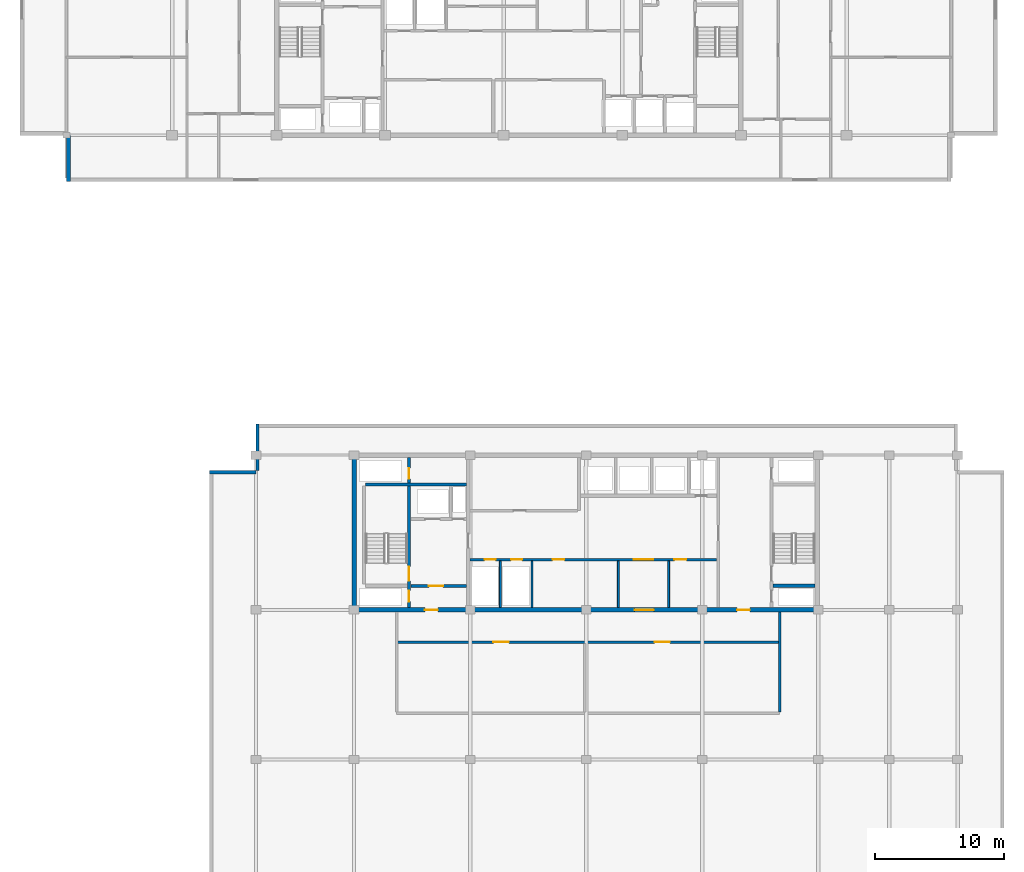
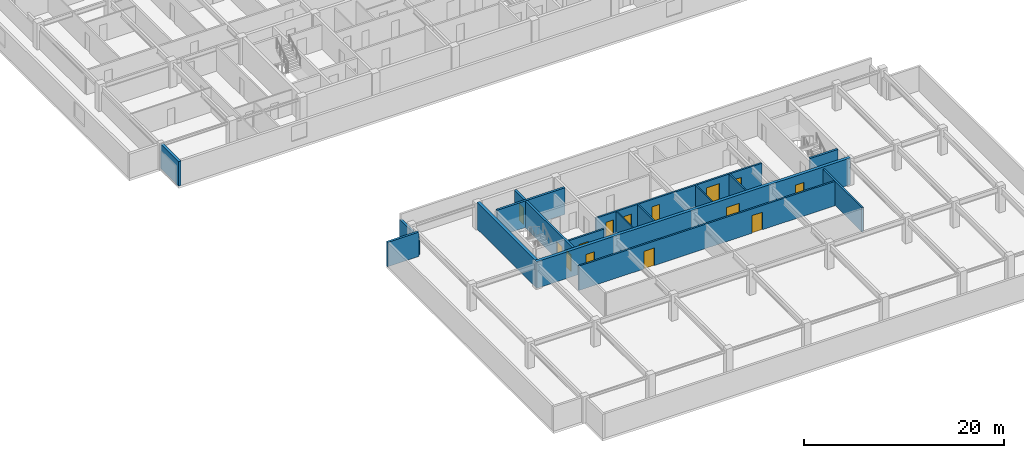
# One storey, part 4 of 17: 16 walls, 14 doors, 14 openings.
"""IFC4 building model written with IfcOpenShell, lengths in metres."""

from ifc_helpers import new_model, si_unit, direction, frame, frame_2d, origin, place, context, subcontext, project, spatial, rectangle, extrude, material, layer, layer_set, type_object, element, fill, save


model = new_model("IFC4")

# Units and contexts
model_context = context("Model", 3, precision=1e-05, world=origin(), true_north=direction((0.0, 1.0)))
body_context = subcontext(model_context, "Body", "Model", "MODEL_VIEW")
ifc_project = project(units=[si_unit("LENGTHUNIT", "METRE"), si_unit("AREAUNIT", "SQUARE_METRE"), si_unit("VOLUMEUNIT", "CUBIC_METRE"), si_unit("PLANEANGLEUNIT", "RADIAN"), si_unit("MASSUNIT", "GRAM", prefix="KILO")], contexts=[model_context])

# Site, building, storey
site_placement = place(None, origin())
site = spatial("IfcSite", under=ifc_project, at=site_placement, CompositionType="ELEMENT")
building_placement = place(site_placement, origin())
building = spatial("IfcBuilding", under=site, at=building_placement, Name="Korimba Cascade Residences", CompositionType="ELEMENT")
storey_placement = place(building_placement, frame((0.0, 0.0, 204.35009765625)))
storey = spatial("IfcBuildingStorey", under=building, at=storey_placement, Name="L59", CompositionType="ELEMENT", Elevation=204.35009765625)

# Walls
ifc_material_1 = material(Name="Precast concrete C40/50", Category="concrete")
ifc_layer_1 = layer(ifc_material_1, 0.25)
ifc_layer_set_1 = layer_set([ifc_layer_1], Name="Precast concrete C40/50")
wall_type_1 = type_object("IfcWallType", Name="EW-PLNT-250", PredefinedType="SHEAR", material=ifc_layer_set_1)
wall_1_placement = place(storey_placement, frame((74.625, 32.800048828125, 0.0), z_axis=(0.0, 0.0, 1.0), x_axis=(0.0, -1.0, 0.0)))
element("IfcWall", 1, at=wall_1_placement, inside=storey, type_object=wall_type_1, Name="L59 T2 Perimeter Stone Wall E07", PredefinedType="SHEAR", context=body_context, shape_type="SweptSolid", body=[
    extrude(rectangle(XDim=3.60009765625, YDim=0.25, at=frame_2d((1.800048828125, 0.0))), origin(), (0.0, 0.0, 1.0), 2.210205078125),
])
wall_2_placement = place(storey_placement, frame((74.5, 29.074951171875, 0.0), z_axis=(0.0, 0.0, 1.0), x_axis=(-1.0, 0.0, 0.0)))
element("IfcWall", 2, at=wall_2_placement, inside=storey, type_object=wall_type_1, Name="L59 T2 Perimeter Stone Wall E08", PredefinedType="SHEAR", context=body_context, shape_type="SweptSolid", body=[
    extrude(rectangle(XDim=3.60009765625, YDim=0.25, at=frame_2d((1.800048828125, 0.0))), origin(), (0.0, 0.0, 1.0), 2.97998046875),
])
ifc_layer_2 = layer(ifc_material_1, 0.300048828125)
ifc_layer_set_2 = layer_set([ifc_layer_2], Name="Precast concrete C40/50")
wall_type_2 = type_object("IfcWallType", Name="EW-STONE-300", PredefinedType="STANDARD", material=ifc_layer_set_2)
wall_3_placement = place(storey_placement, frame((59.949951171875, 55.199951171875, 0.0), z_axis=(0.0, 0.0, 1.0), x_axis=(0.0, -1.0, 0.0)))
element("IfcWall", 3, at=wall_3_placement, inside=storey, type_object=wall_type_2, Name="L59 T1 Perimeter Stone Wall E11", PredefinedType="STANDARD", context=body_context, shape_type="SweptSolid", body=[
    extrude(rectangle(XDim=3.599853515625, YDim=0.300048828125, at=frame_2d((1.7998046875, 0.0))), origin(), (0.0, 0.0, 1.0), 2.97998046875),
])
ifc_material_2 = material(Name="Concrete C65/80", Category="concrete")
ifc_layer_3 = layer(ifc_material_2, 0.35009765625)
ifc_layer_set_3 = layer_set([ifc_layer_3], Name="Concrete C65/80")
wall_type_3 = type_object("IfcWallType", Name="WAL-CORE-350", PredefinedType="SHEAR", material=ifc_layer_set_3)
wall_4_placement = place(storey_placement, frame((82.10009765625, 18.574951171875, 0.0), z_axis=(0.0, 0.0, 1.0), x_axis=(0.0, 1.0, 0.0)))
element("IfcWall", 4, at=wall_4_placement, inside=storey, type_object=wall_type_3, Name="L59 Core Shear Wall CW-L59-T2-W", PredefinedType="SHEAR", context=body_context, shape_type="SweptSolid", body=[
    extrude(rectangle(XDim=11.650146484375, YDim=0.35009765625, at=frame_2d((5.8251953125, 0.0))), origin(), (0.0, 0.0, 1.0), 3.25),
])

# Wall, openings, doors
wall_5_placement = place(storey_placement, frame((81.925048828125, 18.39990234375, 0.0), z_axis=(0.0, 0.0, 1.0), x_axis=(1.0, 0.0, 0.0)))
wall_5 = element("IfcWall", 5, at=wall_5_placement, inside=storey, type_object=wall_type_3, Name="L59 Core Shear Wall CW-L59-T2-S", PredefinedType="SHEAR", context=body_context, shape_type="SweptSolid", body=[
    extrude(rectangle(XDim=36.264892578125, YDim=0.35009765625, at=frame_2d((18.13232421875, 0.0))), origin(), (0.0, 0.0, 1.0), 3.25),
])
opening_1_placement = place(wall_5_placement, frame((5.675048828125, 0.0, 0.0)))
opening_1 = element("IfcOpeningElement", 6, at=opening_1_placement, cuts=wall_5, Name="Opening D-FD5", PredefinedType="OPENING", context=body_context, shape_type="SweptSolid", body=[
    extrude(rectangle(XDim=1.0, YDim=2.14990234375, at=frame_2d((0.5, 1.074951171875))), frame((0.0, 0.18505859375, 0.0), z_axis=(0.0, -1.0, 0.0), x_axis=(1.0, 0.0, 0.0)), (0.0, 0.0, 1.0), 0.3701171875),
])
opening_2_placement = place(wall_5_placement, frame((21.925048828125, 0.0, 0.0)))
opening_2 = element("IfcOpeningElement", 7, at=opening_2_placement, cuts=wall_5, Name="Opening D-FD8", PredefinedType="OPENING", context=body_context, shape_type="SweptSolid", body=[
    extrude(rectangle(XDim=1.5, YDim=2.199951171875, at=frame_2d((0.75, 1.10009765625))), frame((0.0, 0.18505859375, 0.0), z_axis=(0.0, -1.0, 0.0), x_axis=(1.0, 0.0, 0.0)), (0.0, 0.0, 1.0), 0.3701171875),
])
opening_3_placement = place(wall_5_placement, frame((29.875, 0.0, 0.0)))
opening_3 = element("IfcOpeningElement", 8, at=opening_3_placement, cuts=wall_5, Name="Opening D-FD5", PredefinedType="OPENING", context=body_context, shape_type="SweptSolid", body=[
    extrude(rectangle(XDim=1.0, YDim=2.14990234375, at=frame_2d((0.5, 1.074951171875))), frame((0.0, 0.18505859375, 0.0), z_axis=(0.0, -1.0, 0.0), x_axis=(1.0, 0.0, 0.0)), (0.0, 0.0, 1.0), 0.3701171875),
])
ifc_material_3 = material(Name="Fire-Rated Acoustic Timber Vestibule Door", Category="wood")
door_type_1 = type_object("IfcDoorType", Name="DR-FD90-1000", OperationType="NOTDEFINED", PredefinedType="DOOR", material=ifc_material_3)
door_1_placement = place(opening_1_placement, origin())
door_1 = element("IfcDoor", 9, at=door_1_placement, inside=storey, type_object=door_type_1, Name="L59 T2 West Core Vestibule Fire Door", OperationType="SINGLE_SWING_LEFT", OverallHeight=2.14990234375, OverallWidth=1.0, PredefinedType="DOOR", context=body_context, shape_type="SweptSolid", body=[
    extrude(rectangle(XDim=1.0, YDim=2.14990234375, at=frame_2d((0.5, 1.074951171875))), frame((0.0, 0.02490234375, 0.0), z_axis=(0.0, -1.0, 0.0), x_axis=(1.0, 0.0, 0.0)), (0.0, 0.0, 1.0), 0.050048828125),
])
fill(opening_1, door_1)
door_2_placement = place(opening_3_placement, origin())
door_2 = element("IfcDoor", 10, at=door_2_placement, inside=storey, type_object=door_type_1, Name="L59 T2 East Stair Vestibule Fire Door", OperationType="SINGLE_SWING_RIGHT", OverallHeight=2.14990234375, OverallWidth=1.0, PredefinedType="DOOR", context=body_context, shape_type="SweptSolid", body=[
    extrude(rectangle(XDim=1.0, YDim=2.14990234375, at=frame_2d((0.5, 1.074951171875))), frame((0.0, 0.02490234375, 0.0), z_axis=(0.0, -1.0, 0.0), x_axis=(1.0, 0.0, 0.0)), (0.0, 0.0, 1.0), 0.050048828125),
])
fill(opening_3, door_2)
ifc_material_4 = material(Name="Fire-Rated Glazed Lift Lobby Double Door", Category="glass")
door_type_2 = type_object("IfcDoorType", Name="DR-FD90-1500", OperationType="NOTDEFINED", PredefinedType="DOOR", material=ifc_material_4)
door_3_placement = place(opening_2_placement, origin())
door_3 = element("IfcDoor", 11, at=door_3_placement, inside=storey, type_object=door_type_2, Name="L59 T2 Lift Lobby Fire Door", OperationType="DOUBLE_DOOR_SINGLE_SWING", OverallHeight=2.199951171875, OverallWidth=1.5, PredefinedType="DOOR", context=body_context, shape_type="SweptSolid", body=[
    extrude(rectangle(XDim=1.5, YDim=2.199951171875, at=frame_2d((0.75, 1.10009765625))), frame((0.0, 0.02490234375, 0.0), z_axis=(0.0, -1.0, 0.0), x_axis=(1.0, 0.0, 0.0)), (0.0, 0.0, 1.0), 0.050048828125),
])
fill(opening_2, door_3)

# Walls
ifc_material_5 = material(Name="Insulated Acoustic Stud Partition", Category="gypsum")
ifc_layer_4 = layer(ifc_material_5, 0.14990234375)
ifc_layer_set_4 = layer_set([ifc_layer_4], Name="Insulated Acoustic Stud Partition")
wall_type_4 = type_object("IfcWallType", Name="WAL-PART-150", PredefinedType="PARTITIONING", material=ifc_layer_set_4)
for number, where, z_axis, x_axis, name in (
    (12, (93.449951171875, 18.60009765625, 0.0), (0.0, 0.0, 1.0), (0.0, 1.0, 0.0), "L59 Partition Wall CW-L59-T2-ERDIV"),
    (13, (95.89990234375, 18.60009765625, 0.0), (0.0, 0.0, 1.0), (0.0, 1.0, 0.0), "L59 Partition Wall CW-L59-T2-PRDIV"),
    (14, (102.60009765625, 18.60009765625, 0.0), (0.0, 0.0, 1.0), (0.0, 1.0, 0.0), "L59 Partition Wall CW-L59-T2-THW"),
    (15, (106.5, 18.60009765625, 0.0), (0.0, 0.0, 1.0), (0.0, 1.0, 0.0), "L59 Partition Wall CW-L59-T2-THE"),
):
    element("IfcWall", number, at=place(storey_placement, frame(where, z_axis=z_axis, x_axis=x_axis)), inside=storey, type_object=wall_type_4, Name=name, PredefinedType="PARTITIONING", context=body_context, shape_type="SweptSolid", body=[
        extrude(rectangle(XDim=3.599853515625, YDim=0.14990234375, at=frame_2d((1.7998046875, 0.0))), origin(), (0.0, 0.0, 1.0), 2.97998046875),
    ])

# Wall, opening, door
ifc_material_6 = material(Name="Concrete C40/50", Category="concrete")
ifc_layer_5 = layer(ifc_material_6, 0.199951171875)
ifc_layer_set_5 = layer_set([ifc_layer_5], Name="Concrete C40/50")
wall_type_5 = type_object("IfcWallType", Name="WAL-PART-200", PredefinedType="PARTITIONING", material=ifc_layer_set_5)
wall_6_placement = place(storey_placement, frame((86.5, 20.25, 0.0), z_axis=(0.0, 0.0, 1.0), x_axis=(1.0, 0.0, 0.0)))
wall_6 = element("IfcWall", 16, at=wall_6_placement, inside=storey, type_object=wall_type_5, Name="L59 Partition Wall CW-L59-T2-FFLS", PredefinedType="PARTITIONING", context=body_context, shape_type="SweptSolid", body=[
    extrude(rectangle(XDim=4.320068359375, YDim=0.199951171875, at=frame_2d((2.16015625, 0.0))), origin(), (0.0, 0.0, 1.0), 2.97998046875),
])
opening_4_placement = place(wall_6_placement, frame((1.39990234375, 0.0, 0.0)))
opening_4 = element("IfcOpeningElement", 17, at=opening_4_placement, cuts=wall_6, Name="Opening D-FD1", PredefinedType="OPENING", context=body_context, shape_type="SweptSolid", body=[
    extrude(rectangle(XDim=1.10009765625, YDim=2.10009765625, at=frame_2d((0.550048828125, 1.050048828125))), frame((0.0, 0.10986328125, 0.0), z_axis=(0.0, -1.0, 0.0), x_axis=(1.0, 0.0, 0.0)), (0.0, 0.0, 1.0), 0.219970703125),
])
ifc_material_7 = material(Name="Fire-Rated Steel Core Door", Category="steel")
door_type_3 = type_object("IfcDoorType", Name="DR-FD120-1100", OperationType="NOTDEFINED", PredefinedType="DOOR", material=ifc_material_7)
door_4_placement = place(opening_4_placement, origin())
door_4 = element("IfcDoor", 18, at=door_4_placement, inside=storey, type_object=door_type_3, Name="L59 T2 Firefighting Lobby Door", OperationType="SINGLE_SWING_LEFT", OverallHeight=2.10009765625, OverallWidth=1.10009765625, PredefinedType="DOOR", context=body_context, shape_type="SweptSolid", body=[
    extrude(rectangle(XDim=1.10009765625, YDim=2.10009765625, at=frame_2d((0.550048828125, 1.050048828125))), frame((0.0, 0.02490234375, 0.0), z_axis=(0.0, -1.0, 0.0), x_axis=(1.0, 0.0, 0.0)), (0.0, 0.0, 1.0), 0.050048828125),
])
fill(opening_4, door_4)

# Wall, openings, doors
wall_7_placement = place(storey_placement, frame((91.080078125, 22.300048828125, 0.0), z_axis=(0.0, 0.0, 1.0), x_axis=(1.0, 0.0, 0.0)))
wall_7 = element("IfcWall", 19, at=wall_7_placement, inside=storey, type_object=wall_type_5, Name="L59 Partition Wall CW-L59-T2-SRVROW", PredefinedType="PARTITIONING", context=body_context, shape_type="SweptSolid", body=[
    extrude(rectangle(XDim=19.139892578125, YDim=0.199951171875, at=frame_2d((9.56982421875, 0.0))), origin(), (0.0, 0.0, 1.0), 2.97998046875),
])
opening_5_placement = place(wall_7_placement, frame((1.14990234375, 0.0, 0.0)))
opening_5 = element("IfcOpeningElement", 20, at=opening_5_placement, cuts=wall_7, Name="Opening D-RS1", PredefinedType="OPENING", context=body_context, shape_type="SweptSolid", body=[
    extrude(rectangle(XDim=0.85009765625, YDim=2.050048828125, at=frame_2d((0.425048828125, 1.02490234375))), frame((0.0, 0.10986328125, 0.0), z_axis=(0.0, -1.0, 0.0), x_axis=(1.0, 0.0, 0.0)), (0.0, 0.0, 1.0), 0.219970703125),
])
opening_6_placement = place(wall_7_placement, frame((3.199951171875, 0.0, 0.0)))
opening_6 = element("IfcOpeningElement", 21, at=opening_6_placement, cuts=wall_7, Name="Opening D-RS1", PredefinedType="OPENING", context=body_context, shape_type="SweptSolid", body=[
    extrude(rectangle(XDim=0.85009765625, YDim=2.050048828125, at=frame_2d((0.425048828125, 1.02490234375))), frame((0.0, 0.10986328125, 0.0), z_axis=(0.0, -1.0, 0.0), x_axis=(1.0, 0.0, 0.0)), (0.0, 0.0, 1.0), 0.219970703125),
])
opening_7_placement = place(wall_7_placement, frame((12.719970703125, 0.0, 0.0)))
opening_7 = element("IfcOpeningElement", 22, at=opening_7_placement, cuts=wall_7, Name="Opening D-FD8", PredefinedType="OPENING", context=body_context, shape_type="SweptSolid", body=[
    extrude(rectangle(XDim=1.5, YDim=2.199951171875, at=frame_2d((0.75, 1.10009765625))), frame((0.0, 0.10986328125, 0.0), z_axis=(0.0, -1.0, 0.0), x_axis=(1.0, 0.0, 0.0)), (0.0, 0.0, 1.0), 0.219970703125),
])
opening_8_placement = place(wall_7_placement, frame((6.419921875, 0.0, 0.0)))
opening_8 = element("IfcOpeningElement", 23, at=opening_8_placement, cuts=wall_7, Name="Opening D-IN1", PredefinedType="OPENING", context=body_context, shape_type="SweptSolid", body=[
    extrude(rectangle(XDim=0.919921875, YDim=2.080078125, at=frame_2d((0.4599609375, 1.0400390625))), frame((0.0, 0.10986328125, 0.0), z_axis=(0.0, -1.0, 0.0), x_axis=(1.0, 0.0, 0.0)), (0.0, 0.0, 1.0), 0.219970703125),
])
opening_9_placement = place(wall_7_placement, frame((15.8701171875, 0.0, 0.0)))
opening_9 = element("IfcOpeningElement", 24, at=opening_9_placement, cuts=wall_7, Name="Opening D-IN1", PredefinedType="OPENING", context=body_context, shape_type="SweptSolid", body=[
    extrude(rectangle(XDim=0.919921875, YDim=2.080078125, at=frame_2d((0.4599609375, 1.0400390625))), frame((0.0, 0.10986328125, 0.0), z_axis=(0.0, -1.0, 0.0), x_axis=(1.0, 0.0, 0.0)), (0.0, 0.0, 1.0), 0.219970703125),
])
ifc_material_8 = material(Name="Fire-Rated Steel Riser Access Door", Category="steel")
door_type_4 = type_object("IfcDoorType", Name="DR-FD60-850", OperationType="NOTDEFINED", PredefinedType="DOOR", material=ifc_material_8)
door_5_placement = place(opening_5_placement, origin())
door_5 = element("IfcDoor", 25, at=door_5_placement, inside=storey, type_object=door_type_4, Name="L59 T2 Electrical Riser Door", OperationType="SINGLE_SWING_LEFT", OverallHeight=2.050048828125, OverallWidth=0.85009765625, PredefinedType="DOOR", context=body_context, shape_type="SweptSolid", body=[
    extrude(rectangle(XDim=0.85009765625, YDim=2.050048828125, at=frame_2d((0.425048828125, 1.02490234375))), frame((0.0, 0.02490234375, 0.0), z_axis=(0.0, -1.0, 0.0), x_axis=(1.0, 0.0, 0.0)), (0.0, 0.0, 1.0), 0.050048828125),
])
fill(opening_5, door_5)
door_6_placement = place(opening_6_placement, origin())
door_6 = element("IfcDoor", 26, at=door_6_placement, inside=storey, type_object=door_type_4, Name="L59 T2 Plumbing Riser Door", OperationType="SINGLE_SWING_RIGHT", OverallHeight=2.050048828125, OverallWidth=0.85009765625, PredefinedType="DOOR", context=body_context, shape_type="SweptSolid", body=[
    extrude(rectangle(XDim=0.85009765625, YDim=2.050048828125, at=frame_2d((0.425048828125, 1.02490234375))), frame((0.0, 0.02490234375, 0.0), z_axis=(0.0, -1.0, 0.0), x_axis=(1.0, 0.0, 0.0)), (0.0, 0.0, 1.0), 0.050048828125),
])
fill(opening_6, door_6)
door_7_placement = place(opening_7_placement, origin())
door_7 = element("IfcDoor", 27, at=door_7_placement, inside=storey, type_object=door_type_2, Name="L59 T2 Lift Lobby Foyer Door", OperationType="DOUBLE_DOOR_SINGLE_SWING", OverallHeight=2.199951171875, OverallWidth=1.5, PredefinedType="DOOR", context=body_context, shape_type="SweptSolid", body=[
    extrude(rectangle(XDim=1.5, YDim=2.199951171875, at=frame_2d((0.75, 1.10009765625))), frame((0.0, 0.02490234375, 0.0), z_axis=(0.0, -1.0, 0.0), x_axis=(1.0, 0.0, 0.0)), (0.0, 0.0, 1.0), 0.050048828125),
])
fill(opening_7, door_7)
ifc_material_9 = material(Name="Acoustic Timber Living Door", Category="wood")
door_type_5 = type_object("IfcDoorType", Name="DR-INT-920", OperationType="NOTDEFINED", PredefinedType="DOOR", material=ifc_material_9)
door_8_placement = place(opening_8_placement, origin())
door_8 = element("IfcDoor", 28, at=door_8_placement, inside=storey, type_object=door_type_5, Name="L59 T2 Housekeeping Door", OperationType="SINGLE_SWING_LEFT", OverallHeight=2.080078125, OverallWidth=0.919921875, PredefinedType="DOOR", context=body_context, shape_type="SweptSolid", body=[
    extrude(rectangle(XDim=0.919921875, YDim=2.080078125, at=frame_2d((0.4599609375, 1.0400390625))), frame((0.0, 0.02490234375, 0.0), z_axis=(0.0, -1.0, 0.0), x_axis=(1.0, 0.0, 0.0)), (0.0, 0.0, 1.0), 0.050048828125),
])
fill(opening_8, door_8)
door_9_placement = place(opening_9_placement, origin())
door_9 = element("IfcDoor", 29, at=door_9_placement, inside=storey, type_object=door_type_5, Name="L59 T2 Store Door", OperationType="SINGLE_SWING_RIGHT", OverallHeight=2.080078125, OverallWidth=0.919921875, PredefinedType="DOOR", context=body_context, shape_type="SweptSolid", body=[
    extrude(rectangle(XDim=0.919921875, YDim=2.080078125, at=frame_2d((0.4599609375, 1.0400390625))), frame((0.0, 0.02490234375, 0.0), z_axis=(0.0, -1.0, 0.0), x_axis=(1.0, 0.0, 0.0)), (0.0, 0.0, 1.0), 0.050048828125),
])
fill(opening_9, door_9)

wall_8_placement = place(storey_placement, frame((85.39990234375, 15.89990234375, 0.0), z_axis=(0.0, 0.0, 1.0), x_axis=(1.0, 0.0, 0.0)))
wall_8 = element("IfcWall", 30, at=wall_8_placement, inside=storey, type_object=wall_type_5, Name="L59 Partition Wall WAL-L59-T2-PS", PredefinedType="PARTITIONING", context=body_context, shape_type="SweptSolid", body=[
    extrude(rectangle(XDim=29.7001953125, YDim=0.199951171875, at=frame_2d((14.85009765625, 0.0))), origin(), (0.0, 0.0, 1.0), 2.97998046875),
])
opening_10_placement = place(wall_8_placement, frame((7.506103515625, 0.0, 0.0)))
opening_10 = element("IfcOpeningElement", 31, at=opening_10_placement, cuts=wall_8, Name="Opening D-FD3", PredefinedType="OPENING", context=body_context, shape_type="SweptSolid", body=[
    extrude(rectangle(XDim=1.199951171875, YDim=2.14990234375, at=frame_2d((0.60009765625, 1.074951171875))), frame((0.0, 0.10986328125, 0.0), z_axis=(0.0, -1.0, 0.0), x_axis=(1.0, 0.0, 0.0)), (0.0, 0.0, 1.0), 0.219970703125),
])
opening_11_placement = place(wall_8_placement, frame((20.0, 0.0, 0.0)))
opening_11 = element("IfcOpeningElement", 32, at=opening_11_placement, cuts=wall_8, Name="Opening D-FD3", PredefinedType="OPENING", context=body_context, shape_type="SweptSolid", body=[
    extrude(rectangle(XDim=1.199951171875, YDim=2.14990234375, at=frame_2d((0.60009765625, 1.074951171875))), frame((0.0, 0.10986328125, 0.0), z_axis=(0.0, -1.0, 0.0), x_axis=(1.0, 0.0, 0.0)), (0.0, 0.0, 1.0), 0.219970703125),
])
ifc_material_10 = material(Name="Fire-Rated Steel Plant Door", Category="steel")
door_type_6 = type_object("IfcDoorType", Name="DR-FD120-1200", OperationType="NOTDEFINED", PredefinedType="DOOR", material=ifc_material_10)
door_10_placement = place(opening_10_placement, origin())
door_10 = element("IfcDoor", 33, at=door_10_placement, inside=storey, type_object=door_type_6, Name="L59 T2 Chiller Plant Door", OperationType="SINGLE_SWING_LEFT", OverallHeight=2.14990234375, OverallWidth=1.199951171875, PredefinedType="DOOR", context=body_context, shape_type="SweptSolid", body=[
    extrude(rectangle(XDim=1.199951171875, YDim=2.14990234375, at=frame_2d((0.60009765625, 1.074951171875))), frame((0.0, 0.02490234375, 0.0), z_axis=(0.0, -1.0, 0.0), x_axis=(1.0, 0.0, 0.0)), (0.0, 0.0, 1.0), 0.050048828125),
])
fill(opening_10, door_10)
door_11_placement = place(opening_11_placement, origin())
door_11 = element("IfcDoor", 34, at=door_11_placement, inside=storey, type_object=door_type_6, Name="L59 T2 AHU Plant Door", OperationType="SINGLE_SWING_RIGHT", OverallHeight=2.14990234375, OverallWidth=1.199951171875, PredefinedType="DOOR", context=body_context, shape_type="SweptSolid", body=[
    extrude(rectangle(XDim=1.199951171875, YDim=2.14990234375, at=frame_2d((0.60009765625, 1.074951171875))), frame((0.0, 0.02490234375, 0.0), z_axis=(0.0, -1.0, 0.0), x_axis=(1.0, 0.0, 0.0)), (0.0, 0.0, 1.0), 0.050048828125),
])
fill(opening_11, door_11)

# Wall
wall_9_placement = place(storey_placement, frame((115.10009765625, 10.5, 0.0), z_axis=(0.0, 0.0, 1.0), x_axis=(0.0, 1.0, 0.0)))
element("IfcWall", 35, at=wall_9_placement, inside=storey, type_object=wall_type_5, Name="L59 Partition Wall WAL-L59-T2-PE", PredefinedType="PARTITIONING", context=body_context, shape_type="SweptSolid", body=[
    extrude(rectangle(XDim=7.75, YDim=0.199951171875, at=frame_2d((3.875, 0.0))), origin(), (0.0, 0.0, 1.0), 2.97998046875),
])

# Wall, openings, doors
ifc_material_11 = material(Name="Concrete C50/60", Category="concrete")
ifc_layer_6 = layer(ifc_material_11, 0.25)
ifc_layer_set_6 = layer_set([ifc_layer_6], Name="Concrete C50/60")
wall_type_6 = type_object("IfcWallType", Name="WAL-SHAFT-250", PredefinedType="SHEAR", material=ifc_layer_set_6)
wall_10_placement = place(storey_placement, frame((86.364990234375, 18.60009765625, 0.0), z_axis=(0.0, 0.0, 1.0), x_axis=(0.0, 1.0, 0.0)))
wall_10 = element("IfcWall", 36, at=wall_10_placement, inside=storey, type_object=wall_type_6, Name="L59 Core Shear Wall CW-L59-T2-STE1E", PredefinedType="SHEAR", context=body_context, shape_type="SweptSolid", body=[
    extrude(rectangle(XDim=11.599853515625, YDim=0.25, at=frame_2d((5.7998046875, 0.0))), origin(), (0.0, 0.0, 1.0), 3.25),
])
opening_12_placement = place(wall_10_placement, frame((0.449951171875, 0.0, 0.0)))
opening_12 = element("IfcOpeningElement", 37, at=opening_12_placement, cuts=wall_10, Name="Opening D-RS1", PredefinedType="OPENING", context=body_context, shape_type="SweptSolid", body=[
    extrude(rectangle(XDim=0.85009765625, YDim=2.050048828125, at=frame_2d((0.425048828125, 1.02490234375))), frame((0.0, 0.135009765625, 0.0), z_axis=(0.0, -1.0, 0.0), x_axis=(1.0, 0.0, 0.0)), (0.0, 0.0, 1.0), 0.27001953125),
])
opening_13_placement = place(wall_10_placement, frame((2.050048828125, 0.0, 0.0)))
opening_13 = element("IfcOpeningElement", 38, at=opening_13_placement, cuts=wall_10, Name="Opening D-FD1", PredefinedType="OPENING", context=body_context, shape_type="SweptSolid", body=[
    extrude(rectangle(XDim=1.10009765625, YDim=2.10009765625, at=frame_2d((0.550048828125, 1.050048828125))), frame((0.0, 0.135009765625, 0.0), z_axis=(0.0, -1.0, 0.0), x_axis=(1.0, 0.0, 0.0)), (0.0, 0.0, 1.0), 0.27001953125),
])
opening_14_placement = place(wall_10_placement, frame((9.949951171875, 0.0, 0.0)))
opening_14 = element("IfcOpeningElement", 39, at=opening_14_placement, cuts=wall_10, Name="Opening D-RS1", PredefinedType="OPENING", context=body_context, shape_type="SweptSolid", body=[
    extrude(rectangle(XDim=0.85009765625, YDim=2.050048828125, at=frame_2d((0.425048828125, 1.02490234375))), frame((0.0, 0.135009765625, 0.0), z_axis=(0.0, -1.0, 0.0), x_axis=(1.0, 0.0, 0.0)), (0.0, 0.0, 1.0), 0.27001953125),
])
door_12_placement = place(opening_13_placement, origin())
door_12 = element("IfcDoor", 40, at=door_12_placement, inside=storey, type_object=door_type_3, Name="L59 Fire Stair ST-E1 Door", OperationType="SINGLE_SWING_RIGHT", OverallHeight=2.10009765625, OverallWidth=1.10009765625, PredefinedType="DOOR", context=body_context, shape_type="SweptSolid", body=[
    extrude(rectangle(XDim=1.10009765625, YDim=2.10009765625, at=frame_2d((0.550048828125, 1.050048828125))), frame((0.0, 0.02490234375, 0.0), z_axis=(0.0, -1.0, 0.0), x_axis=(1.0, 0.0, 0.0)), (0.0, 0.0, 1.0), 0.050048828125),
])
fill(opening_13, door_12)
door_13_placement = place(opening_12_placement, origin())
door_13 = element("IfcDoor", 41, at=door_13_placement, inside=storey, type_object=door_type_4, Name="L59 T2 Hydrant Riser Door", OperationType="SINGLE_SWING_LEFT", OverallHeight=2.050048828125, OverallWidth=0.85009765625, PredefinedType="DOOR", context=body_context, shape_type="SweptSolid", body=[
    extrude(rectangle(XDim=0.85009765625, YDim=2.050048828125, at=frame_2d((0.425048828125, 1.02490234375))), frame((0.0, 0.02490234375, 0.0), z_axis=(0.0, -1.0, 0.0), x_axis=(1.0, 0.0, 0.0)), (0.0, 0.0, 1.0), 0.050048828125),
])
fill(opening_12, door_13)
door_14_placement = place(opening_14_placement, origin())
door_14 = element("IfcDoor", 42, at=door_14_placement, inside=storey, type_object=door_type_4, Name="L59 T2 Smoke Shaft Door", OperationType="SINGLE_SWING_LEFT", OverallHeight=2.050048828125, OverallWidth=0.85009765625, PredefinedType="DOOR", context=body_context, shape_type="SweptSolid", body=[
    extrude(rectangle(XDim=0.85009765625, YDim=2.050048828125, at=frame_2d((0.425048828125, 1.02490234375))), frame((0.0, 0.02490234375, 0.0), z_axis=(0.0, -1.0, 0.0), x_axis=(1.0, 0.0, 0.0)), (0.0, 0.0, 1.0), 0.050048828125),
])
fill(opening_14, door_14)

# Walls
wall_11_placement = place(storey_placement, frame((83.0, 28.125, 0.0), z_axis=(0.0, 0.0, 1.0), x_axis=(1.0, 0.0, 0.0)))
element("IfcWall", 43, at=wall_11_placement, inside=storey, type_object=wall_type_6, Name="L59 Core Shear Wall CW-L59-T2-STE1N", PredefinedType="SHEAR", context=body_context, shape_type="SweptSolid", body=[
    extrude(rectangle(XDim=7.820068359375, YDim=0.25, at=frame_2d((3.91015625, 0.0))), origin(), (0.0, 0.0, 1.0), 3.25),
])
wall_12_placement = place(storey_placement, frame((114.60009765625, 20.27490234375, 0.0), z_axis=(0.0, 0.0, 1.0), x_axis=(1.0, 0.0, 0.0)))
element("IfcWall", 44, at=wall_12_placement, inside=storey, type_object=wall_type_6, Name="L59 Core Shear Wall CW-L59-T2-STE2S", PredefinedType="SHEAR", context=body_context, shape_type="SweptSolid", body=[
    extrude(rectangle(XDim=3.239990234375, YDim=0.25, at=frame_2d((1.6201171875, 0.0))), origin(), (0.0, 0.0, 1.0), 3.25),
])

save(model, "model.ifc")
